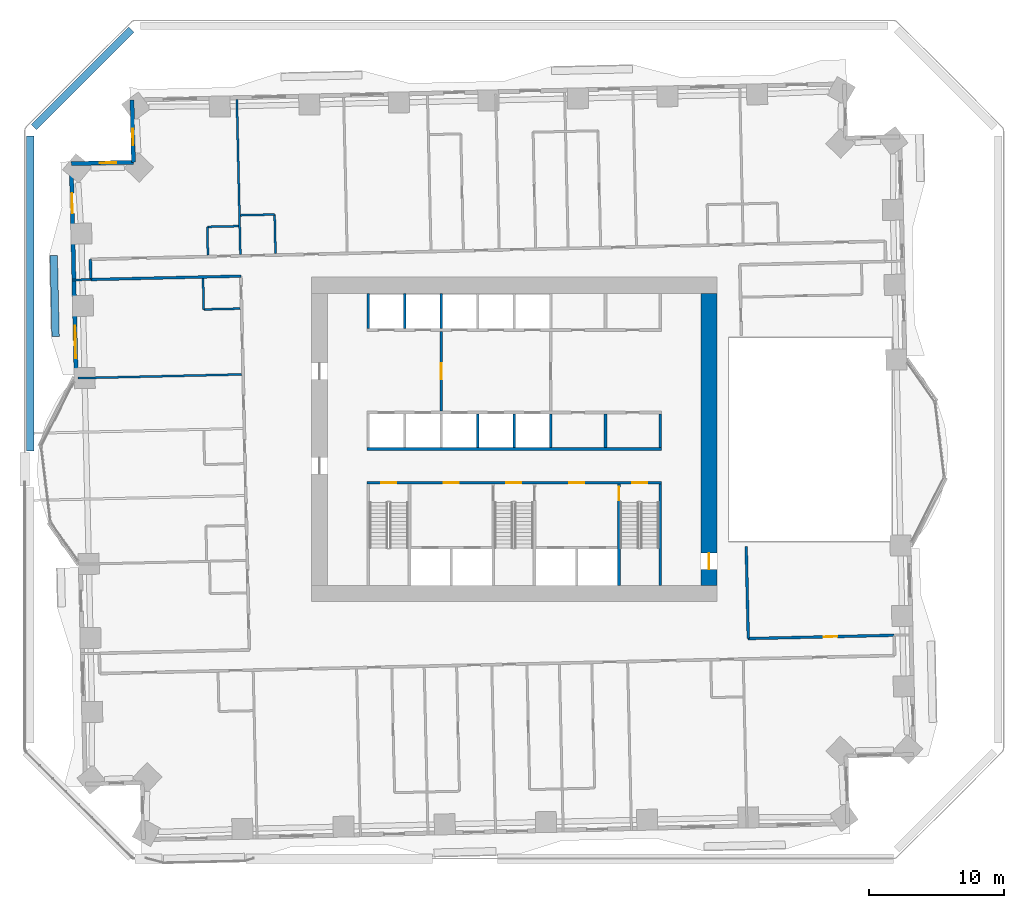
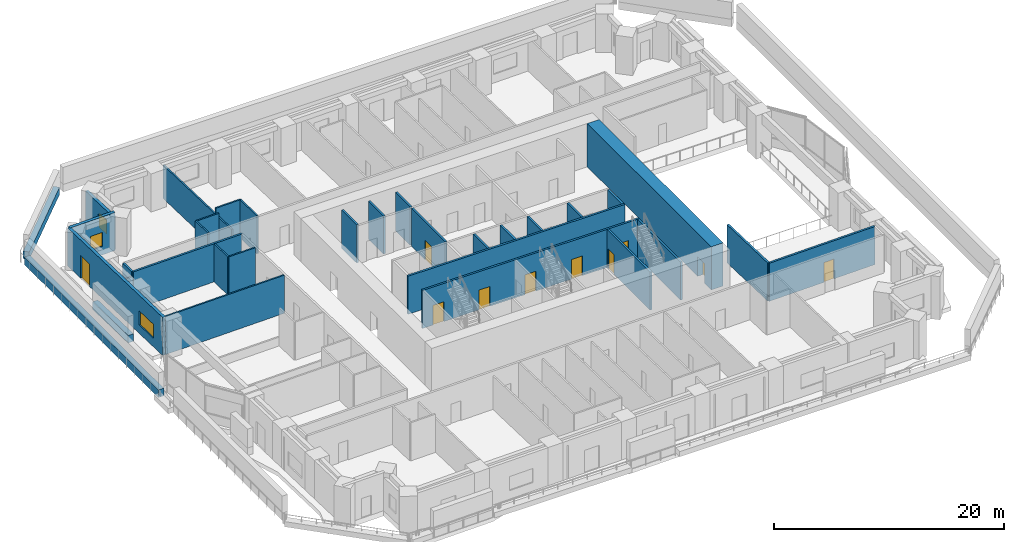
# One storey, part 13 of 21: 33 walls, 10 doors, 3 windows, 13 openings.
"""IFC4 building model written with IfcOpenShell, lengths in metres."""

from ifc_helpers import new_model, si_unit, direction, frame, frame_2d, origin, place, context, subcontext, project, spatial, rectangle, extrude, material, layer, layer_set, type_object, element, fill, save


model = new_model("IFC4")

# Units and contexts
model_context = context("Model", 3, precision=1e-05, world=origin(), true_north=direction((0.0, 1.0)))
body_context = subcontext(model_context, "Body", "Model", "MODEL_VIEW")
ifc_project = project(units=[si_unit("LENGTHUNIT", "METRE"), si_unit("AREAUNIT", "SQUARE_METRE"), si_unit("VOLUMEUNIT", "CUBIC_METRE"), si_unit("PLANEANGLEUNIT", "RADIAN"), si_unit("MASSUNIT", "GRAM", prefix="KILO")], contexts=[model_context])

# Site, building, storey
site_placement = place(None, origin())
site = spatial("IfcSite", under=ifc_project, at=site_placement, CompositionType="ELEMENT")
building_placement = place(site_placement, origin())
building = spatial("IfcBuilding", under=site, at=building_placement, Name="Mangrove Gate Tower", CompositionType="ELEMENT")
storey_placement = place(building_placement, frame((0.0, 0.0, 29.5)))
storey = spatial("IfcBuildingStorey", under=building, at=storey_placement, Name="L06", CompositionType="ELEMENT", Elevation=29.5)

# Wall, opening, door
ifc_material_1 = material(Name="Concrete C32/40", Category="concrete")
ifc_layer_1 = layer(ifc_material_1, 0.199951171875)
ifc_layer_set_1 = layer_set([ifc_layer_1], Name="Core lobby wall 200 C32/40")
wall_type_1 = type_object("IfcWallType", Name="Core lobby wall 200 C32/40", PredefinedType="STANDARD", material=ifc_layer_set_1)
wall_1_placement = place(storey_placement, frame((-5.39990234375, 2.10009765625, 0.0), z_axis=(0.0, 0.0, 1.0), x_axis=(0.0, 1.0, 0.0)))
wall_1 = element("IfcWall", 1, at=wall_1_placement, inside=storey, type_object=wall_type_1, Name="WALL-L06-CORE-35", PredefinedType="STANDARD", context=body_context, shape_type="SweptSolid", body=[
    extrude(rectangle(XDim=5.89990234375, YDim=0.199951171875, at=frame_2d((2.949951171875, 0.0))), origin(), (0.0, 0.0, 1.0), 4.050048828125),
])
opening_1_placement = place(wall_1_placement, frame((2.35009765625, 0.0, 0.0)))
opening_1 = element("IfcOpeningElement", 2, at=opening_1_placement, cuts=wall_1, Name="Opening FL12", PredefinedType="OPENING", context=body_context, shape_type="SweptSolid", body=[
    extrude(rectangle(XDim=1.199951171875, YDim=2.10009765625, at=frame_2d((0.60009765625, 1.050048828125))), frame((0.0, 0.10986328125, 0.0), z_axis=(0.0, -1.0, 0.0), x_axis=(1.0, 0.0, 0.0)), (0.0, 0.0, 1.0), 0.219970703125),
])
ifc_material_2 = material(Name="Fire-rated steel door set", Category="steel")
door_type_1 = type_object("IfcDoorType", Name="Lobby door FD60 1200x2100", OperationType="SINGLE_SWING_LEFT", PredefinedType="DOOR", material=ifc_material_2)
door_1_placement = place(opening_1_placement, origin())
door_1 = element("IfcDoor", 3, at=door_1_placement, inside=storey, type_object=door_type_1, Name="Lobby door lift lobby partition", OperationType="SINGLE_SWING_LEFT", OverallHeight=2.10009765625, OverallWidth=1.199951171875, PredefinedType="DOOR", context=body_context, shape_type="SweptSolid", body=[
    extrude(rectangle(XDim=1.199951171875, YDim=2.10009765625, at=frame_2d((0.60009765625, 1.050048828125))), frame((0.0, 0.02490234375, 0.0), z_axis=(0.0, -1.0, 0.0), x_axis=(1.0, 0.0, 0.0)), (0.0, 0.0, 1.0), 0.050048828125),
])
fill(opening_1, door_1)

# Walls
ifc_material_3 = material(Name="Concrete C32/40", Category="concrete")
ifc_layer_2 = layer(ifc_material_3, 0.199951171875)
ifc_layer_set_2 = layer_set([ifc_layer_2], Name="Core room wall 200 C32/40")
wall_type_2 = type_object("IfcWallType", Name="Core room wall 200 C32/40", PredefinedType="STANDARD", material=ifc_layer_set_2)
for number, where, z_axis, x_axis, name in (
    (4, (6.75, -0.60009765625, 0.0), (0.0, 0.0, 1.0), (0.0, 1.0, 0.0), "WALL-L06-CORE-25"),
    (5, (10.800048828125, -0.60009765625, 0.0), (0.0, 0.0, 1.0), (0.0, 1.0, 0.0), "WALL-L06-CORE-26"),
):
    element("IfcWall", number, at=place(storey_placement, frame(where, z_axis=z_axis, x_axis=x_axis)), inside=storey, type_object=wall_type_2, Name=name, PredefinedType="STANDARD", context=body_context, shape_type="SweptSolid", body=[
        extrude(rectangle(XDim=2.5, YDim=0.199951171875, at=frame_2d((1.25, 0.0))), origin(), (0.0, 0.0, 1.0), 4.050048828125),
    ])
ifc_material_4 = material(Name="Concrete C70/85", Category="concrete")
ifc_layer_3 = layer(ifc_material_4, 0.199951171875)
ifc_layer_set_3 = layer_set([ifc_layer_3], Name="Core shaft wall 200 C70/85")
wall_type_3 = type_object("IfcWallType", Name="Core shaft wall 200 C70/85", PredefinedType="SHEAR", material=ifc_layer_set_3)
wall_2_placement = place(storey_placement, frame((-10.89990234375, -0.699951171875, 0.0), z_axis=(0.0, 0.0, 1.0), x_axis=(1.0, 0.0, 0.0)))
element("IfcWall", 6, at=wall_2_placement, inside=storey, type_object=wall_type_3, Name="WALL-L06-CORE-6", PredefinedType="SHEAR", context=body_context, shape_type="SweptSolid", body=[
    extrude(rectangle(XDim=21.7998046875, YDim=0.199951171875, at=frame_2d((10.89990234375, 0.0))), origin(), (0.0, 0.0, 1.0), 4.050048828125),
])
for number, where, z_axis, x_axis, name in (
    (7, (-2.699951171875, -0.60009765625, 0.0), (0.0, 0.0, 1.0), (0.0, 1.0, 0.0), "WALL-L06-CORE-22"),
    (8, (0.0, -0.60009765625, 0.0), (0.0, 0.0, 1.0), (0.0, 1.0, 0.0), "WALL-L06-CORE-23"),
    (9, (2.699951171875, -0.60009765625, 0.0), (0.0, 0.0, 1.0), (0.0, 1.0, 0.0), "WALL-L06-CORE-24"),
):
    element("IfcWall", number, at=place(storey_placement, frame(where, z_axis=z_axis, x_axis=x_axis)), inside=storey, type_object=wall_type_3, Name=name, PredefinedType="SHEAR", context=body_context, shape_type="SweptSolid", body=[
        extrude(rectangle(XDim=2.5, YDim=0.199951171875, at=frame_2d((1.25, 0.0))), origin(), (0.0, 0.0, 1.0), 4.050048828125),
    ])
for number, where, z_axis, x_axis, name in (
    (10, (-10.800048828125, 8.199951171875, 0.0), (0.0, 0.0, 1.0), (0.0, 1.0, 0.0), "WALL-L06-CORE-27"),
    (11, (-8.10009765625, 8.199951171875, 0.0), (0.0, 0.0, 1.0), (0.0, 1.0, 0.0), "WALL-L06-CORE-28"),
    (12, (-5.39990234375, 8.199951171875, 0.0), (0.0, 0.0, 1.0), (0.0, 1.0, 0.0), "WALL-L06-CORE-29"),
):
    element("IfcWall", number, at=place(storey_placement, frame(where, z_axis=z_axis, x_axis=x_axis)), inside=storey, type_object=wall_type_3, Name=name, PredefinedType="SHEAR", context=body_context, shape_type="SweptSolid", body=[
        extrude(rectangle(XDim=2.60009765625, YDim=0.199951171875, at=frame_2d((1.300048828125, 0.0))), origin(), (0.0, 0.0, 1.0), 4.050048828125),
    ])

# Wall, openings, doors
ifc_material_5 = material(Name="Concrete C70/85", Category="concrete")
ifc_layer_4 = layer(ifc_material_5, 0.199951171875)
ifc_layer_set_4 = layer_set([ifc_layer_4], Name="Core stair wall 200 C70/85")
wall_type_4 = type_object("IfcWallType", Name="Core stair wall 200 C70/85", PredefinedType="SHEAR", material=ifc_layer_set_4)
wall_3_placement = place(storey_placement, frame((-10.89990234375, -3.199951171875, 0.0), z_axis=(0.0, 0.0, 1.0), x_axis=(1.0, 0.0, 0.0)))
wall_3 = element("IfcWall", 13, at=wall_3_placement, inside=storey, type_object=wall_type_4, Name="WALL-L06-CORE-5", PredefinedType="SHEAR", context=body_context, shape_type="SweptSolid", body=[
    extrude(rectangle(XDim=21.7998046875, YDim=0.199951171875, at=frame_2d((10.89990234375, 0.0))), origin(), (0.0, 0.0, 1.0), 4.050048828125),
])
opening_2_placement = place(wall_3_placement, frame((1.074951171875, 0.0, 0.0)))
opening_2 = element("IfcOpeningElement", 14, at=opening_2_placement, cuts=wall_3, Name="Opening STD11", PredefinedType="OPENING", context=body_context, shape_type="SweptSolid", body=[
    extrude(rectangle(XDim=1.10009765625, YDim=2.10009765625, at=frame_2d((0.550048828125, 1.050048828125))), frame((0.0, 0.10986328125, 0.0), z_axis=(0.0, -1.0, 0.0), x_axis=(1.0, 0.0, 0.0)), (0.0, 0.0, 1.0), 0.219970703125),
])
opening_3_placement = place(wall_3_placement, frame((10.324951171875, 0.0, 0.0)))
opening_3 = element("IfcOpeningElement", 15, at=opening_3_placement, cuts=wall_3, Name="Opening STD11", PredefinedType="OPENING", context=body_context, shape_type="SweptSolid", body=[
    extrude(rectangle(XDim=1.10009765625, YDim=2.10009765625, at=frame_2d((0.550048828125, 1.050048828125))), frame((0.0, 0.10986328125, 0.0), z_axis=(0.0, -1.0, 0.0), x_axis=(1.0, 0.0, 0.0)), (0.0, 0.0, 1.0), 0.219970703125),
])
opening_4_placement = place(wall_3_placement, frame((19.625, 0.0, 0.0)))
opening_4 = element("IfcOpeningElement", 16, at=opening_4_placement, cuts=wall_3, Name="Opening STD11", PredefinedType="OPENING", context=body_context, shape_type="SweptSolid", body=[
    extrude(rectangle(XDim=1.10009765625, YDim=2.10009765625, at=frame_2d((0.550048828125, 1.050048828125))), frame((0.0, 0.10986328125, 0.0), z_axis=(0.0, -1.0, 0.0), x_axis=(1.0, 0.0, 0.0)), (0.0, 0.0, 1.0), 0.219970703125),
])
opening_5_placement = place(wall_3_placement, frame((5.699951171875, 0.0, 0.0)))
opening_5 = element("IfcOpeningElement", 17, at=opening_5_placement, cuts=wall_3, Name="Opening FL", PredefinedType="OPENING", context=body_context, shape_type="SweptSolid", body=[
    extrude(rectangle(XDim=1.10009765625, YDim=2.10009765625, at=frame_2d((0.550048828125, 1.050048828125))), frame((0.0, 0.10986328125, 0.0), z_axis=(0.0, -1.0, 0.0), x_axis=(1.0, 0.0, 0.0)), (0.0, 0.0, 1.0), 0.219970703125),
])
opening_6_placement = place(wall_3_placement, frame((14.97509765625, 0.0, 0.0)))
opening_6 = element("IfcOpeningElement", 18, at=opening_6_placement, cuts=wall_3, Name="Opening FL", PredefinedType="OPENING", context=body_context, shape_type="SweptSolid", body=[
    extrude(rectangle(XDim=1.10009765625, YDim=2.10009765625, at=frame_2d((0.550048828125, 1.050048828125))), frame((0.0, 0.10986328125, 0.0), z_axis=(0.0, -1.0, 0.0), x_axis=(1.0, 0.0, 0.0)), (0.0, 0.0, 1.0), 0.219970703125),
])
ifc_material_6 = material(Name="Fire-rated steel door set", Category="steel")
door_type_2 = type_object("IfcDoorType", Name="Lobby door FD60 1100x2100", OperationType="SINGLE_SWING_LEFT", PredefinedType="DOOR", material=ifc_material_6)
door_2_placement = place(opening_5_placement, origin())
door_2 = element("IfcDoor", 19, at=door_2_placement, inside=storey, type_object=door_type_2, Name="Lobby door service lobby", OperationType="SINGLE_SWING_LEFT", OverallHeight=2.10009765625, OverallWidth=1.10009765625, PredefinedType="DOOR", context=body_context, shape_type="SweptSolid", body=[
    extrude(rectangle(XDim=1.10009765625, YDim=2.10009765625, at=frame_2d((0.550048828125, 1.050048828125))), frame((0.0, 0.02490234375, 0.0), z_axis=(0.0, -1.0, 0.0), x_axis=(1.0, 0.0, 0.0)), (0.0, 0.0, 1.0), 0.050048828125),
])
fill(opening_5, door_2)
door_3_placement = place(opening_6_placement, origin())
door_3 = element("IfcDoor", 20, at=door_3_placement, inside=storey, type_object=door_type_2, Name="Lobby door fire-fighting lobby", OperationType="SINGLE_SWING_LEFT", OverallHeight=2.10009765625, OverallWidth=1.10009765625, PredefinedType="DOOR", context=body_context, shape_type="SweptSolid", body=[
    extrude(rectangle(XDim=1.10009765625, YDim=2.10009765625, at=frame_2d((0.550048828125, 1.050048828125))), frame((0.0, 0.02490234375, 0.0), z_axis=(0.0, -1.0, 0.0), x_axis=(1.0, 0.0, 0.0)), (0.0, 0.0, 1.0), 0.050048828125),
])
fill(opening_6, door_3)
ifc_material_7 = material(Name="Fire-rated steel door set", Category="steel")
door_type_3 = type_object("IfcDoorType", Name="Stair door FD60 1100x2100", OperationType="SINGLE_SWING_RIGHT", PredefinedType="DOOR", material=ifc_material_7)
door_4_placement = place(opening_2_placement, origin())
door_4 = element("IfcDoor", 21, at=door_4_placement, inside=storey, type_object=door_type_3, Name="Stair door Stair 1", OperationType="SINGLE_SWING_RIGHT", OverallHeight=2.10009765625, OverallWidth=1.10009765625, PredefinedType="DOOR", context=body_context, shape_type="SweptSolid", body=[
    extrude(rectangle(XDim=1.10009765625, YDim=2.10009765625, at=frame_2d((0.550048828125, 1.050048828125))), frame((0.0, 0.02490234375, 0.0), z_axis=(0.0, -1.0, 0.0), x_axis=(1.0, 0.0, 0.0)), (0.0, 0.0, 1.0), 0.050048828125),
])
fill(opening_2, door_4)
door_5_placement = place(opening_3_placement, origin())
door_5 = element("IfcDoor", 22, at=door_5_placement, inside=storey, type_object=door_type_3, Name="Stair door Stair 2", OperationType="SINGLE_SWING_RIGHT", OverallHeight=2.10009765625, OverallWidth=1.10009765625, PredefinedType="DOOR", context=body_context, shape_type="SweptSolid", body=[
    extrude(rectangle(XDim=1.10009765625, YDim=2.10009765625, at=frame_2d((0.550048828125, 1.050048828125))), frame((0.0, 0.02490234375, 0.0), z_axis=(0.0, -1.0, 0.0), x_axis=(1.0, 0.0, 0.0)), (0.0, 0.0, 1.0), 0.050048828125),
])
fill(opening_3, door_5)
door_6_placement = place(opening_4_placement, origin())
door_6 = element("IfcDoor", 23, at=door_6_placement, inside=storey, type_object=door_type_3, Name="Stair door Stair 3", OperationType="SINGLE_SWING_RIGHT", OverallHeight=2.10009765625, OverallWidth=1.10009765625, PredefinedType="DOOR", context=body_context, shape_type="SweptSolid", body=[
    extrude(rectangle(XDim=1.10009765625, YDim=2.10009765625, at=frame_2d((0.550048828125, 1.050048828125))), frame((0.0, 0.02490234375, 0.0), z_axis=(0.0, -1.0, 0.0), x_axis=(1.0, 0.0, 0.0)), (0.0, 0.0, 1.0), 0.050048828125),
])
fill(opening_4, door_6)

# Wall, opening, door
wall_4_placement = place(storey_placement, frame((7.75, -10.800048828125, 0.0), z_axis=(0.0, 0.0, 1.0), x_axis=(0.0, 1.0, 0.0)))
wall_4 = element("IfcWall", 24, at=wall_4_placement, inside=storey, type_object=wall_type_4, Name="WALL-L06-CORE-13", PredefinedType="SHEAR", context=body_context, shape_type="SweptSolid", body=[
    extrude(rectangle(XDim=7.5, YDim=0.199951171875, at=frame_2d((3.75, 0.0))), origin(), (0.0, 0.0, 1.0), 4.050048828125),
])
opening_7_placement = place(wall_4_placement, frame((6.300048828125, 0.0, 0.0)))
opening_7 = element("IfcOpeningElement", 25, at=opening_7_placement, cuts=wall_4, Name="Opening STD10", PredefinedType="OPENING", context=body_context, shape_type="SweptSolid", body=[
    extrude(rectangle(XDim=1.0, YDim=2.10009765625, at=frame_2d((0.5, 1.050048828125))), frame((0.0, 0.10986328125, 0.0), z_axis=(0.0, -1.0, 0.0), x_axis=(1.0, 0.0, 0.0)), (0.0, 0.0, 1.0), 0.219970703125),
])
ifc_material_8 = material(Name="Fire-rated steel door set", Category="steel")
door_type_4 = type_object("IfcDoorType", Name="Stair door FD60 1000x2100", OperationType="SINGLE_SWING_RIGHT", PredefinedType="DOOR", material=ifc_material_8)
door_7_placement = place(opening_7_placement, origin())
door_7 = element("IfcDoor", 26, at=door_7_placement, inside=storey, type_object=door_type_4, Name="Stair door Stair 3 from fire-fighting lobby", OperationType="SINGLE_SWING_RIGHT", OverallHeight=2.10009765625, OverallWidth=1.0, PredefinedType="DOOR", context=body_context, shape_type="SweptSolid", body=[
    extrude(rectangle(XDim=1.0, YDim=2.10009765625, at=frame_2d((0.5, 1.050048828125))), frame((0.0, 0.02490234375, 0.0), z_axis=(0.0, -1.0, 0.0), x_axis=(1.0, 0.0, 0.0)), (0.0, 0.0, 1.0), 0.050048828125),
])
fill(opening_7, door_7)

# Wall
wall_5_placement = place(storey_placement, frame((10.800048828125, -10.800048828125, 0.0), z_axis=(0.0, 0.0, 1.0), x_axis=(0.0, 1.0, 0.0)))
element("IfcWall", 27, at=wall_5_placement, inside=storey, type_object=wall_type_4, Name="WALL-L06-CORE-14", PredefinedType="SHEAR", context=body_context, shape_type="SweptSolid", body=[
    extrude(rectangle(XDim=7.5, YDim=0.199951171875, at=frame_2d((3.75, 0.0))), origin(), (0.0, 0.0, 1.0), 4.050048828125),
])

# Wall, opening, door
ifc_material_9 = material(Name="Concrete C70/85", Category="concrete")
ifc_layer_5 = layer(ifc_material_9, 1.199951171875)
ifc_layer_set_5 = layer_set([ifc_layer_5], Name="Core wall 1200 C70/85")
wall_type_5 = type_object("IfcWallType", Name="Core wall 1200 C70/85", PredefinedType="SHEAR", material=ifc_layer_set_5)
wall_6_placement = place(storey_placement, frame((14.39990234375, -10.800048828125, 0.0), z_axis=(0.0, 0.0, 1.0), x_axis=(0.0, 1.0, 0.0)))
wall_6 = element("IfcWall", 28, at=wall_6_placement, inside=storey, type_object=wall_type_5, Name="WALL-L06-CORE-4", PredefinedType="SHEAR", context=body_context, shape_type="SweptSolid", body=[
    extrude(rectangle(XDim=21.60009765625, YDim=1.199951171875, at=frame_2d((10.800048828125, 0.0))), origin(), (0.0, 0.0, 1.0), 4.60009765625),
])
opening_8_placement = place(wall_6_placement, frame((1.199951171875, 0.0, 0.0)))
opening_8 = element("IfcOpeningElement", 29, at=opening_8_placement, cuts=wall_6, Name="Opening CD", PredefinedType="OPENING", context=body_context, shape_type="SweptSolid", body=[
    extrude(rectangle(XDim=1.199951171875, YDim=2.10009765625, at=frame_2d((0.60009765625, 1.050048828125))), frame((0.0, 0.60986328125, 0.0), z_axis=(0.0, -1.0, 0.0), x_axis=(1.0, 0.0, 0.0)), (0.0, 0.0, 1.0), 1.219970703125),
])
ifc_material_10 = material(Name="Fire-rated steel door set", Category="steel")
door_type_5 = type_object("IfcDoorType", Name="Core ring door FD60 1200x2100", OperationType="DOUBLE_DOOR_SINGLE_SWING", PredefinedType="DOOR", material=ifc_material_10)
door_8_placement = place(opening_8_placement, origin())
door_8 = element("IfcDoor", 30, at=door_8_placement, inside=storey, type_object=door_type_5, Name="Core ring door E1", OperationType="DOUBLE_DOOR_SINGLE_SWING", OverallHeight=2.10009765625, OverallWidth=1.199951171875, PredefinedType="DOOR", context=body_context, shape_type="SweptSolid", body=[
    extrude(rectangle(XDim=1.199951171875, YDim=2.10009765625, at=frame_2d((0.60009765625, 1.050048828125))), frame((0.0, 0.02490234375, 0.0), z_axis=(0.0, -1.0, 0.0), x_axis=(1.0, 0.0, 0.0)), (0.0, 0.0, 1.0), 0.050048828125),
])
fill(opening_8, door_8)

ifc_material_11 = material(Name="Gypsum board on steel stud, EI 60", Category="steel")
ifc_layer_6 = layer(ifc_material_11, 0.199951171875)
ifc_layer_set_6 = layer_set([ifc_layer_6], Name="Corridor wall EI 60")
wall_type_6 = type_object("IfcWallType", Name="Corridor wall EI 60", PredefinedType="PARTITIONING", material=ifc_layer_set_6)
wall_7_placement = place(storey_placement, frame((17.305908203125, -14.72412109375, 0.0), z_axis=(0.0, 0.0, 1.0), x_axis=(0.999744269809, 0.022614043969, 0.0)))
wall_7 = element("IfcWall", 31, at=wall_7_placement, inside=storey, type_object=wall_type_6, Name="WALL-L06-024", PredefinedType="PARTITIONING", context=body_context, shape_type="SweptSolid", body=[
    extrude(rectangle(XDim=10.7958984375, YDim=0.199951171875, at=frame_2d((5.39794921875, 0.0))), origin(), (0.0, 0.0, 1.0), 4.050048828125),
])
opening_9_placement = place(wall_7_placement, frame((5.597900390625, 0.0, 0.0)))
opening_9 = element("IfcOpeningElement", 32, at=opening_9_placement, cuts=wall_7, Name="Opening AD", PredefinedType="OPENING", context=body_context, shape_type="SweptSolid", body=[
    extrude(rectangle(XDim=1.0, YDim=2.10009765625, at=frame_2d((0.5, 1.050048828125))), frame((0.0, 0.10986328125, 0.0), z_axis=(0.0, -1.0, 0.0), x_axis=(1.0, 0.0, 0.0)), (0.0, 0.0, 1.0), 0.219970703125),
])
ifc_material_12 = material(Name="Timber door leaf", Category="wood")
door_type_6 = type_object("IfcDoorType", Name="Amenity door 1000", OperationType="SINGLE_SWING_LEFT", PredefinedType="DOOR", material=ifc_material_12)
door_9_placement = place(opening_9_placement, origin())
door_9 = element("IfcDoor", 33, at=door_9_placement, inside=storey, type_object=door_type_6, Name="DOOR-L06-LNG-c3b", OperationType="SINGLE_SWING_LEFT", OverallHeight=2.10009765625, OverallWidth=1.0, PredefinedType="DOOR", context=body_context, shape_type="SweptSolid", body=[
    extrude(rectangle(XDim=1.0, YDim=2.10009765625, at=frame_2d((0.5, 1.050048828125))), frame((0.0, 0.02490234375, 0.0), z_axis=(0.0, -1.0, 0.0), x_axis=(1.0, 0.0, 0.0)), (0.0, 0.0, 1.0), 0.050048828125),
])
fill(opening_9, door_9)

# Walls
wall_8_placement = place(storey_placement, frame((17.31103515625, -14.72412109375, 0.0), z_axis=(0.0, 0.0, 1.0), x_axis=(-0.022562209343, 0.999745440955, 0.0)))
element("IfcWall", 34, at=wall_8_placement, inside=storey, type_object=wall_type_6, Name="WALL-L06-025", PredefinedType="PARTITIONING", context=body_context, shape_type="SweptSolid", body=[
    extrude(rectangle(XDim=6.827880859375, YDim=0.199951171875, at=frame_2d((3.4140625, 0.0))), origin(), (0.0, 0.0, 1.0), 4.050048828125),
])
wall_9_placement = place(storey_placement, frame((-31.31298828125, 11.8291015625, 0.0), z_axis=(0.0, 0.0, 1.0), x_axis=(0.999742346277, 0.022698921993, 0.0)))
element("IfcWall", 35, at=wall_9_placement, inside=storey, type_object=wall_type_6, Name="WALL-L06-043", PredefinedType="PARTITIONING", context=body_context, shape_type="SweptSolid", body=[
    extrude(rectangle(XDim=11.099853515625, YDim=0.199951171875, at=frame_2d((5.5498046875, 0.0))), origin(), (0.0, 0.0, 1.0), 4.050048828125),
])
wall_10_placement = place(storey_placement, frame((-31.31298828125, 11.8291015625, 0.0), z_axis=(0.0, 0.0, 1.0), x_axis=(-0.022617910375, 0.999744182344, 0.0)))
element("IfcWall", 36, at=wall_10_placement, inside=storey, type_object=wall_type_6, Name="WALL-L06-044", PredefinedType="PARTITIONING", context=body_context, shape_type="SweptSolid", body=[
    extrude(rectangle(XDim=1.50048828125, YDim=0.199951171875, at=frame_2d((0.750244140625, 0.0))), origin(), (0.0, 0.0, 1.0), 4.050048828125),
])

# Wall, opening, window
ifc_material_13 = material(Name="Limestone", Category="masonry")
ifc_layer_7 = layer(ifc_material_13, 0.0400390625, Name="Limestone cladding")
ifc_material_14 = material(Name="Ventilated air gap")
ifc_layer_8 = layer(ifc_material_14, 0.0400390625, Name="Ventilated cavity")
ifc_material_15 = material(Name="Mineral wool insulation")
ifc_layer_9 = layer(ifc_material_15, 0.06005859375, Name="Insulation")
ifc_material_16 = material(Name="Breather membrane")
ifc_layer_10 = layer(ifc_material_16, 0.001953125, Name="Breather membrane")
ifc_material_17 = material(Name="Concrete C20/25 blockwork", Category="masonry")
ifc_layer_11 = layer(ifc_material_17, 0.14990234375, Name="Blockwork backing wall")
ifc_material_18 = material(Name="Gypsum plaster")
ifc_layer_12 = layer(ifc_material_18, 0.008056640625, Name="Internal plaster")
ifc_layer_set_7 = layer_set([ifc_layer_7, ifc_layer_8, ifc_layer_9, ifc_layer_10, ifc_layer_11, ifc_layer_12], Name="External wall 300 limestone cladding")
wall_type_7 = type_object("IfcWallType", Name="External wall 300 limestone cladding", PredefinedType="SOLIDWALL", material=ifc_layer_set_7)
wall_11_placement = place(storey_placement, frame((-28.263916015625, 25.10205078125, 0.0), z_axis=(0.0, 0.0, 1.0), x_axis=(0.022820258049, -0.999739584003, 0.0)))
wall_11 = element("IfcWall", 37, at=wall_11_placement, inside=storey, type_object=wall_type_7, Name="WALL-L06-W6", PredefinedType="SOLIDWALL", context=body_context, shape_type="SweptSolid", body=[
    extrude(rectangle(XDim=4.600341796875, YDim=0.300048828125, at=frame_2d((2.30029296875, 0.0))), origin(), (0.0, 0.0, 1.0), 3.550048828125),
])
opening_10_placement = place(wall_11_placement, frame((2.133056640625, 0.0, 0.89990234375)))
opening_10 = element("IfcOpeningElement", 38, at=opening_10_placement, cuts=wall_11, Name="Opening W1", PredefinedType="OPENING", context=body_context, shape_type="SweptSolid", body=[
    extrude(rectangle(XDim=1.199951171875, YDim=1.5, at=frame_2d((0.60009765625, 0.75))), frame((0.0, 0.159912109375, 0.0), z_axis=(0.0, -1.0, 0.0), x_axis=(1.0, 0.0, 0.0)), (0.0, 0.0, 1.0), 0.320068359375),
])
ifc_material_19 = material(Name="Aluminium frame with double-glazed low-e glass", Category="aluminium")
window_type_1 = type_object("IfcWindowType", Name="Side lite 1200x1500", PartitioningType="SINGLE_PANEL", PredefinedType="WINDOW", material=ifc_material_19)
window_1_placement = place(opening_10_placement, origin())
window_1 = element("IfcWindow", 39, at=window_1_placement, inside=storey, type_object=window_type_1, Name="WIN-L06-W6-1", OverallHeight=1.5, OverallWidth=1.199951171875, PartitioningType="SINGLE_PANEL", PredefinedType="WINDOW", context=body_context, shape_type="SweptSolid", body=[
    extrude(rectangle(XDim=1.199951171875, YDim=1.5, at=frame_2d((0.60009765625, 0.75))), frame((0.0, 0.030029296875, 0.0), z_axis=(0.0, -1.0, 0.0), x_axis=(1.0, 0.0, 0.0)), (0.0, 0.0, 1.0), 0.06005859375),
])
fill(opening_10, window_1)

wall_12_placement = place(storey_placement, frame((-28.158935546875, 20.5029296875, 0.0), z_axis=(0.0, 0.0, 1.0), x_axis=(-0.999744404568, -0.02260808559, 0.0)))
wall_12 = element("IfcWall", 40, at=wall_12_placement, inside=storey, type_object=wall_type_7, Name="WALL-L06-N7", PredefinedType="SOLIDWALL", context=body_context, shape_type="SweptSolid", body=[
    extrude(rectangle(XDim=4.600341796875, YDim=0.300048828125, at=frame_2d((2.30029296875, 0.0))), origin(), (0.0, 0.0, 1.0), 4.050048828125),
])
opening_11_placement = place(wall_12_placement, frame((1.283935546875, 0.0, 0.89990234375)))
opening_11 = element("IfcOpeningElement", 41, at=opening_11_placement, cuts=wall_12, Name="Opening W1", PredefinedType="OPENING", context=body_context, shape_type="SweptSolid", body=[
    extrude(rectangle(XDim=1.199951171875, YDim=1.5, at=frame_2d((0.60009765625, 0.75))), frame((0.0, 0.159912109375, 0.0), z_axis=(0.0, -1.0, 0.0), x_axis=(1.0, 0.0, 0.0)), (0.0, 0.0, 1.0), 0.320068359375),
])
window_2_placement = place(opening_11_placement, origin())
window_2 = element("IfcWindow", 42, at=window_2_placement, inside=storey, type_object=window_type_1, Name="WIN-L06-N7-1", OverallHeight=1.5, OverallWidth=1.199951171875, PartitioningType="SINGLE_PANEL", PredefinedType="WINDOW", context=body_context, shape_type="SweptSolid", body=[
    extrude(rectangle(XDim=1.199951171875, YDim=1.5, at=frame_2d((0.60009765625, 0.75))), frame((0.0, 0.030029296875, 0.0), z_axis=(0.0, -1.0, 0.0), x_axis=(1.0, 0.0, 0.0)), (0.0, 0.0, 1.0), 0.06005859375),
])
fill(opening_11, window_2)

# Wall, openings, door, window
wall_13_placement = place(storey_placement, frame((-32.758056640625, 20.39892578125, 0.0), z_axis=(0.0, 0.0, 1.0), x_axis=(0.022668485183, -0.999743036875, 0.0)))
wall_13 = element("IfcWall", 43, at=wall_13_placement, inside=storey, type_object=wall_type_7, Name="WALL-L06-W8", PredefinedType="SOLIDWALL", context=body_context, shape_type="SweptSolid", body=[
    extrude(rectangle(XDim=15.928955078125, YDim=0.300048828125, at=frame_2d((7.96435546875, 0.0))), origin(), (0.0, 0.0, 1.0), 4.050048828125),
])
opening_12_placement = place(wall_13_placement, frame((2.18310546875, 0.0, 0.0)))
opening_12 = element("IfcOpeningElement", 44, at=opening_12_placement, cuts=wall_13, Name="Opening BD1", PredefinedType="OPENING", context=body_context, shape_type="SweptSolid", body=[
    extrude(rectangle(XDim=1.5, YDim=2.39990234375, at=frame_2d((0.75, 1.199951171875))), frame((0.0, 0.159912109375, 0.0), z_axis=(0.0, -1.0, 0.0), x_axis=(1.0, 0.0, 0.0)), (0.0, 0.0, 1.0), 0.320068359375),
])
opening_13_placement = place(wall_13_placement, frame((12.00390625, 0.0, 0.89990234375)))
opening_13 = element("IfcOpeningElement", 45, at=opening_13_placement, cuts=wall_13, Name="Opening W2", PredefinedType="OPENING", context=body_context, shape_type="SweptSolid", body=[
    extrude(rectangle(XDim=2.39990234375, YDim=1.5, at=frame_2d((1.199951171875, 0.75))), frame((0.0, 0.159912109375, 0.0), z_axis=(0.0, -1.0, 0.0), x_axis=(1.0, 0.0, 0.0)), (0.0, 0.0, 1.0), 0.320068359375),
])
ifc_material_20 = material(Name="Aluminium frame with laminated clear glass", Category="aluminium")
door_type_7 = type_object("IfcDoorType", Name="Balcony sliding door 1500x2400", OperationType="SLIDING_TO_LEFT", PredefinedType="DOOR", material=ifc_material_20)
door_10_placement = place(opening_12_placement, origin())
door_10 = element("IfcDoor", 46, at=door_10_placement, inside=storey, type_object=door_type_7, Name="DOOR-L06-W8-1", OperationType="SLIDING_TO_LEFT", OverallHeight=2.39990234375, OverallWidth=1.5, PredefinedType="DOOR", context=body_context, shape_type="SweptSolid", body=[
    extrude(rectangle(XDim=1.5, YDim=2.39990234375, at=frame_2d((0.75, 1.199951171875))), frame((0.0, 0.02490234375, 0.0), z_axis=(0.0, -1.0, 0.0), x_axis=(1.0, 0.0, 0.0)), (0.0, 0.0, 1.0), 0.050048828125),
])
fill(opening_12, door_10)
ifc_material_21 = material(Name="Aluminium frame with double-glazed low-e glass", Category="aluminium")
window_type_2 = type_object("IfcWindowType", Name="Corner room window 2400x1500", PartitioningType="DOUBLE_PANEL_VERTICAL", PredefinedType="WINDOW", material=ifc_material_21)
window_3_placement = place(opening_13_placement, origin())
window_3 = element("IfcWindow", 47, at=window_3_placement, inside=storey, type_object=window_type_2, Name="WIN-L06-W8-2", OverallHeight=1.5, OverallWidth=2.39990234375, PartitioningType="DOUBLE_PANEL_VERTICAL", PredefinedType="WINDOW", context=body_context, shape_type="SweptSolid", body=[
    extrude(rectangle(XDim=2.39990234375, YDim=1.5, at=frame_2d((1.199951171875, 0.75))), frame((0.0, 0.030029296875, 0.0), z_axis=(0.0, -1.0, 0.0), x_axis=(1.0, 0.0, 0.0)), (0.0, 0.0, 1.0), 0.06005859375),
])
fill(opening_13, window_3)

# Walls
ifc_material_22 = material(Name="Gypsum board on steel stud, EI 60", Category="steel")
ifc_layer_13 = layer(ifc_material_22, 0.14990234375)
ifc_layer_set_8 = layer_set([ifc_layer_13], Name="Party wall 150 EI 60")
wall_type_8 = type_object("IfcWallType", Name="Party wall 150 EI 60", PredefinedType="PARTITIONING", material=ifc_layer_set_8)
wall_14_placement = place(storey_placement, frame((-32.248046875, 4.535888671875, 0.0), z_axis=(0.0, 0.0, 1.0), x_axis=(0.999741439573, 0.022738821441, 0.0)))
element("IfcWall", 48, at=wall_14_placement, inside=storey, type_object=wall_type_8, Name="WALL-L06-036", PredefinedType="PARTITIONING", context=body_context, shape_type="SweptSolid", body=[
    extrude(rectangle(XDim=12.100341796875, YDim=0.14990234375, at=frame_2d((6.05029296875, 0.0))), origin(), (0.0, 0.0, 1.0), 4.050048828125),
])
wall_15_placement = place(storey_placement, frame((-22.9609375, 9.617919921875, 0.0), z_axis=(0.0, 0.0, 1.0), x_axis=(0.999736155505, 0.022969966847, 0.0)))
element("IfcWall", 49, at=wall_15_placement, inside=storey, type_object=wall_type_8, Name="WALL-L06-038", PredefinedType="PARTITIONING", context=body_context, shape_type="SweptSolid", body=[
    extrude(rectangle(XDim=2.69970703125, YDim=0.14990234375, at=frame_2d((1.349853515625, 0.0))), origin(), (0.0, 0.0, 1.0), 4.050048828125),
])
wall_16_placement = place(storey_placement, frame((-22.9609375, 9.617919921875, 0.0), z_axis=(0.0, 0.0, 1.0), x_axis=(-0.022603288534, 0.999744513037, 0.0)))
element("IfcWall", 50, at=wall_16_placement, inside=storey, type_object=wall_type_8, Name="WALL-L06-039", PredefinedType="PARTITIONING", context=body_context, shape_type="SweptSolid", body=[
    extrude(rectangle(XDim=2.300537109375, YDim=0.14990234375, at=frame_2d((1.150390625, 0.0))), origin(), (0.0, 0.0, 1.0), 4.050048828125),
])
wall_17_placement = place(storey_placement, frame((-32.712890625, 11.798095703125, 0.0), z_axis=(0.0, 0.0, 1.0), x_axis=(0.999756172383, 0.022081571112, 0.0)))
element("IfcWall", 51, at=wall_17_placement, inside=storey, type_object=wall_type_8, Name="WALL-L06-042", PredefinedType="PARTITIONING", context=body_context, shape_type="SweptSolid", body=[
    extrude(rectangle(XDim=1.404052734375, YDim=0.14990234375, at=frame_2d((0.7021484375, 0.0))), origin(), (0.0, 0.0, 1.0), 3.550048828125),
])
wall_18_placement = place(storey_placement, frame((-22.652099609375, 13.6259765625, 0.0), z_axis=(0.0, 0.0, 1.0), x_axis=(-0.022779486249, 0.999740513837, 0.0)))
element("IfcWall", 52, at=wall_18_placement, inside=storey, type_object=wall_type_8, Name="WALL-L06-049", PredefinedType="PARTITIONING", context=body_context, shape_type="SweptSolid", body=[
    extrude(rectangle(XDim=2.1005859375, YDim=0.14990234375, at=frame_2d((1.05029296875, 0.0))), origin(), (0.0, 0.0, 1.0), 4.050048828125),
])
wall_19_placement = place(storey_placement, frame((-20.2529296875, 13.680908203125, 0.0), z_axis=(0.0, 0.0, 1.0), x_axis=(-0.022623082162, 0.999744065325, 0.0)))
element("IfcWall", 53, at=wall_19_placement, inside=storey, type_object=wall_type_8, Name="WALL-L06-050", PredefinedType="PARTITIONING", context=body_context, shape_type="SweptSolid", body=[
    extrude(rectangle(XDim=11.449951171875, YDim=0.14990234375, at=frame_2d((5.72509765625, 0.0))), origin(), (0.0, 0.0, 1.0), 3.550048828125),
])
wall_20_placement = place(storey_placement, frame((-17.653076171875, 13.739990234375, 0.0), z_axis=(0.0, 0.0, 1.0), x_axis=(-0.022732880677, 0.999741574676, 0.0)))
element("IfcWall", 54, at=wall_20_placement, inside=storey, type_object=wall_type_8, Name="WALL-L06-051", PredefinedType="PARTITIONING", context=body_context, shape_type="SweptSolid", body=[
    extrude(rectangle(XDim=2.899658203125, YDim=0.14990234375, at=frame_2d((1.44970703125, 0.0))), origin(), (0.0, 0.0, 1.0), 4.050048828125),
])
wall_21_placement = place(storey_placement, frame((-22.699951171875, 15.72607421875, 0.0), z_axis=(0.0, 0.0, 1.0), x_axis=(0.999740478815, 0.022781023197, 0.0)))
element("IfcWall", 55, at=wall_21_placement, inside=storey, type_object=wall_type_8, Name="WALL-L06-063", PredefinedType="PARTITIONING", context=body_context, shape_type="SweptSolid", body=[
    extrude(rectangle(XDim=2.325439453125, YDim=0.14990234375, at=frame_2d((1.16259765625, 0.0))), origin(), (0.0, 0.0, 1.0), 4.050048828125),
])
wall_22_placement = place(storey_placement, frame((-20.242919921875, 16.58203125, 0.0), z_axis=(0.0, 0.0, 1.0), x_axis=(0.9997461113, 0.022532486354, 0.0)))
element("IfcWall", 56, at=wall_22_placement, inside=storey, type_object=wall_type_8, Name="WALL-L06-064", PredefinedType="PARTITIONING", context=body_context, shape_type="SweptSolid", body=[
    extrude(rectangle(XDim=2.524658203125, YDim=0.14990234375, at=frame_2d((1.26220703125, 0.0))), origin(), (0.0, 0.0, 1.0), 4.050048828125),
])
ifc_material_23 = material(Name="Concrete C32/40", Category="concrete")
ifc_layer_14 = layer(ifc_material_23, 0.199951171875, Name="Planter trough wall")
ifc_material_24 = material(Name="Bituminous waterproofing membrane")
ifc_layer_15 = layer(ifc_material_24, 0.0048828125, Name="Waterproofing")
ifc_material_25 = material(Name="Drainage board and gravel")
ifc_layer_16 = layer(ifc_material_25, 0.044921875, Name="Drainage layer")
ifc_material_26 = material(Name="Planting soil")
ifc_layer_17 = layer(ifc_material_26, 0.300048828125, Name="Growing medium")
ifc_layer_set_9 = layer_set([ifc_layer_14, ifc_layer_15, ifc_layer_16, ifc_layer_17], Name="Planter wall 550 C32/40")
wall_type_9 = type_object("IfcWallType", Name="Planter wall 550 C32/40", PredefinedType="USERDEFINED", material=ifc_layer_set_9)
wall_23_placement = place(storey_placement, frame((-33.91796875, 7.6201171875, 0.0), z_axis=(0.0, 0.0, 1.0), x_axis=(-0.022666865795, 0.999743073592, 0.0)))
element("IfcWall", 57, at=wall_23_placement, inside=storey, type_object=wall_type_9, Name="PLANTER L06 W0.1", ObjectType="PLANTER", PredefinedType="USERDEFINED", context=body_context, shape_type="SweptSolid", body=[
    extrude(rectangle(XDim=5.999267578125, YDim=0.550048828125, at=frame_2d((2.99951171875, 0.0))), origin(), (0.0, 0.0, 1.0), 0.800048828125),
])
wall_24_placement = place(storey_placement, frame((-35.784912109375, -0.863037109375, 0.0), z_axis=(0.0, 0.0, 1.0), x_axis=(0.0, 1.0, 0.0)))
element("IfcWall", 58, at=wall_24_placement, inside=storey, type_object=wall_type_9, Name="PLANTER L06 T2.1.6", ObjectType="PLANTER", PredefinedType="USERDEFINED", context=body_context, shape_type="SweptSolid", body=[
    extrude(rectangle(XDim=23.30615234375, YDim=0.550048828125, at=frame_2d((11.653076171875, 0.0))), origin(), (0.0, 0.0, 1.0), 0.800048828125),
])
wall_25_placement = place(storey_placement, frame((-35.512939453125, 23.10009765625, 0.0), z_axis=(0.0, 0.0, 1.0), x_axis=(0.707106781187, 0.707106781187, 0.0)))
element("IfcWall", 59, at=wall_25_placement, inside=storey, type_object=wall_type_9, Name="PLANTER L06 T2.1.15", ObjectType="PLANTER", PredefinedType="USERDEFINED", context=body_context, shape_type="SweptSolid", body=[
    extrude(rectangle(XDim=10.20068359375, YDim=0.550048828125, at=frame_2d((5.100341796875, 0.0))), origin(), (0.0, 0.0, 1.0), 0.800048828125),
])

save(model, "model.ifc")
